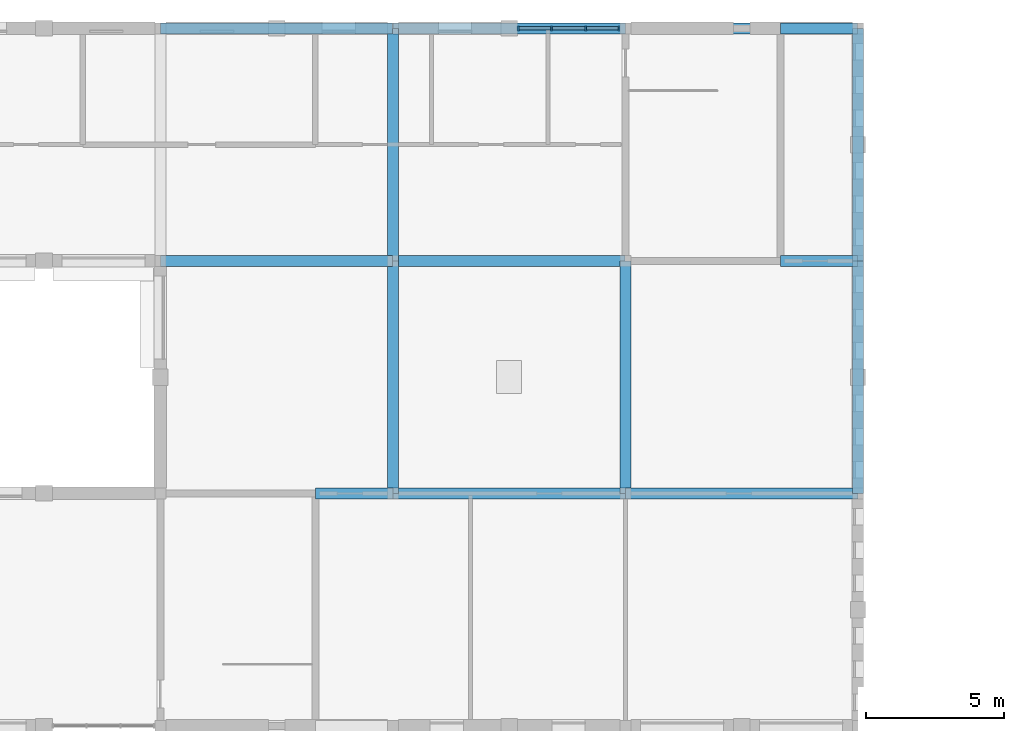
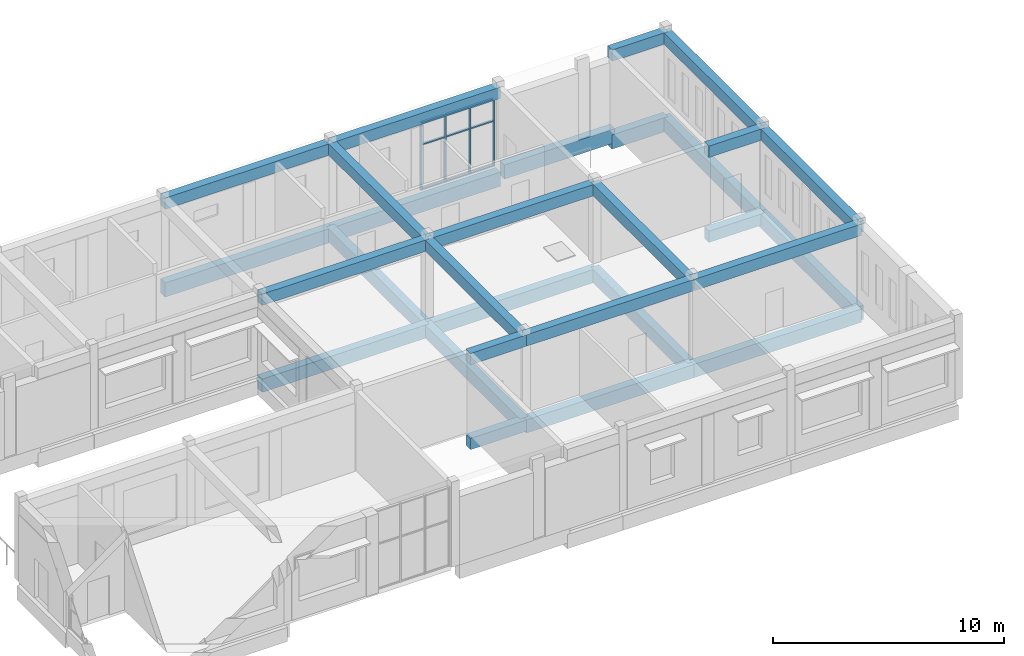
# One storey, part 14 of 30: 29 beams, 13 members, 1 element without a shape of its own.
"""IFC4 building model written with IfcOpenShell, lengths in metres."""

from ifc_helpers import new_model, si_unit, direction, frame, origin, origin_2d, place, context, subcontext, project, spatial, rectangle, extrude, material, material_profile, profile_set, type_object, element, aggregate, save


model = new_model("IFC4")

# Units and contexts
model_context = context("Model", 3, precision=1e-05, world=origin(), true_north=direction((0.0, 1.0)))
body_context = subcontext(model_context, "Body", "Model", "MODEL_VIEW")
ifc_project = project(units=[si_unit("LENGTHUNIT", "METRE"), si_unit("AREAUNIT", "SQUARE_METRE"), si_unit("VOLUMEUNIT", "CUBIC_METRE"), si_unit("PLANEANGLEUNIT", "RADIAN"), si_unit("MASSUNIT", "GRAM", prefix="KILO")], contexts=[model_context])

# Site, building, storey
site_placement = place(None, origin())
site = spatial("IfcSite", under=ifc_project, at=site_placement, CompositionType="ELEMENT")
building_placement = place(site_placement, origin())
building = spatial("IfcBuilding", under=site, at=building_placement, Name="Fescue Hill Polytechnic", CompositionType="ELEMENT")
storey_placement = place(building_placement, frame((0.0, 0.0, 22.5)))
storey = spatial("IfcBuildingStorey", under=building, at=storey_placement, Name="L05", CompositionType="ELEMENT", Elevation=22.5)

# Beams
ifc_material_1 = material(Name="Concrete 35 MPa", Category="concrete")
ifc_material_profile_1 = material_profile(ifc_material_1, rectangle(XDim=0.39990234375, YDim=0.60009765625, at=origin_2d()), Name="RC 400x600")
ifc_profile_set_1 = profile_set([ifc_material_profile_1], Name="Concrete 35 MPa")
beam_type_1 = type_object("IfcBeamType", Name="Beam RC 400x600", PredefinedType="BEAM", material=ifc_profile_set_1)
beam_1_placement = place(storey_placement, frame((98.0, 117.60009765625, -0.60009765625), z_axis=(1.0, 0.0, 0.0), x_axis=(0.0, 1.0, 0.0)))
element("IfcBeam", 1, at=beam_1_placement, inside=storey, type_object=beam_type_1, Name="BM-L05-0092", PredefinedType="BEAM", context=body_context, shape_type="SweptSolid", body=[
    extrude(rectangle(XDim=0.39990234375, YDim=0.60009765625, at=origin_2d()), origin(), (0.0, 0.0, 1.0), 2.800048828125),
])
beam_2_placement = place(storey_placement, frame((114.800048828125, 126.0, -0.60009765625), z_axis=(1.0, 0.0, 0.0), x_axis=(0.0, 1.0, 0.0)))
element("IfcBeam", 2, at=beam_2_placement, inside=storey, type_object=beam_type_1, Name="BM-L05-0102", PredefinedType="BEAM", context=body_context, shape_type="SweptSolid", body=[
    extrude(rectangle(XDim=0.39990234375, YDim=0.60009765625, at=origin_2d()), origin(), (0.0, 0.0, 1.0), 2.7900390625),
])
for number, where, z_axis, x_axis, name in (
    (3, (92.409912109375, 126.0, 3.89990234375), (1.0, 0.0, 0.0), (0.0, 1.0, 0.0), "BR-L05-0013"),
    (4, (92.409912109375, 134.39990234375, 3.89990234375), (1.0, 0.0, 0.0), (0.0, 1.0, 0.0), "BR-L05-0014"),
):
    element("IfcBeam", number, at=place(storey_placement, frame(where, z_axis=z_axis, x_axis=x_axis)), inside=storey, type_object=beam_type_1, Name=name, PredefinedType="BEAM", context=body_context, shape_type="SweptSolid", body=[
        extrude(rectangle(XDim=0.39990234375, YDim=0.60009765625, at=origin_2d()), origin(), (0.0, 0.0, 1.0), 8.380126953125),
    ])
beam_3_placement = place(storey_placement, frame((98.0, 117.60009765625, 3.89990234375), z_axis=(1.0, 0.0, 0.0), x_axis=(0.0, 1.0, 0.0)))
element("IfcBeam", 5, at=beam_3_placement, inside=storey, type_object=beam_type_1, Name="BR-L05-0016", PredefinedType="BEAM", context=body_context, shape_type="SweptSolid", body=[
    extrude(rectangle(XDim=0.39990234375, YDim=0.60009765625, at=origin_2d()), origin(), (0.0, 0.0, 1.0), 2.800048828125),
])
for number, where, z_axis, x_axis, name in (
    (6, (100.800048828125, 117.60009765625, 3.89990234375), (0.0, 1.0, 0.0), (-1.0, 0.0, 0.0), "BR-L05-0018"),
    (7, (100.800048828125, 117.60009765625, 3.89990234375), (1.0, 0.0, 0.0), (0.0, 1.0, 0.0), "BR-L05-0019"),
    (8, (100.800048828125, 126.0, 3.89990234375), (0.0, 1.0, 0.0), (-1.0, 0.0, 0.0), "BR-L05-0020"),
):
    element("IfcBeam", number, at=place(storey_placement, frame(where, z_axis=z_axis, x_axis=x_axis)), inside=storey, type_object=beam_type_1, Name=name, PredefinedType="BEAM", context=body_context, shape_type="SweptSolid", body=[
        extrude(rectangle(XDim=0.39990234375, YDim=0.60009765625, at=origin_2d()), origin(), (0.0, 0.0, 1.0), 8.39990234375),
    ])
beam_4_placement = place(storey_placement, frame((100.81005859375, 126.0, 3.89990234375), z_axis=(1.0, 0.0, 0.0), x_axis=(0.0, 1.0, 0.0)))
element("IfcBeam", 9, at=beam_4_placement, inside=storey, type_object=beam_type_1, Name="BR-L05-0021", PredefinedType="BEAM", context=body_context, shape_type="SweptSolid", body=[
    extrude(rectangle(XDim=0.39990234375, YDim=0.60009765625, at=origin_2d()), origin(), (0.0, 0.0, 1.0), 8.3798828125),
])
beam_5_placement = place(storey_placement, frame((100.81005859375, 134.39990234375, 3.89990234375), z_axis=(1.0, 0.0, 0.0), x_axis=(0.0, 1.0, 0.0)))
element("IfcBeam", 10, at=beam_5_placement, inside=storey, type_object=beam_type_1, Name="BR-L05-0022", PredefinedType="BEAM", context=body_context, shape_type="SweptSolid", body=[
    extrude(rectangle(XDim=0.39990234375, YDim=0.60009765625, at=origin_2d()), origin(), (0.0, 0.0, 1.0), 8.389892578125),
])
beam_6_placement = place(storey_placement, frame((109.199951171875, 117.60009765625, 3.89990234375), z_axis=(0.0, 1.0, 0.0), x_axis=(-1.0, 0.0, 0.0)))
element("IfcBeam", 11, at=beam_6_placement, inside=storey, type_object=beam_type_1, Name="BR-L05-0024", PredefinedType="BEAM", context=body_context, shape_type="SweptSolid", body=[
    extrude(rectangle(XDim=0.39990234375, YDim=0.60009765625, at=origin_2d()), origin(), (0.0, 0.0, 1.0), 8.39990234375),
])
beam_7_placement = place(storey_placement, frame((109.199951171875, 117.60009765625, 3.89990234375), z_axis=(1.0, 0.0, 0.0), x_axis=(0.0, 1.0, 0.0)))
element("IfcBeam", 12, at=beam_7_placement, inside=storey, type_object=beam_type_1, Name="BR-L05-0025", PredefinedType="BEAM", context=body_context, shape_type="SweptSolid", body=[
    extrude(rectangle(XDim=0.39990234375, YDim=0.60009765625, at=origin_2d()), origin(), (0.0, 0.0, 1.0), 8.400146484375),
])
for number, where, z_axis, x_axis, name in (
    (13, (114.800048828125, 126.0, 3.89990234375), (1.0, 0.0, 0.0), (0.0, 1.0, 0.0), "BR-L05-0026"),
    (14, (114.800048828125, 134.39990234375, 3.89990234375), (1.0, 0.0, 0.0), (0.0, 1.0, 0.0), "BR-L05-0027"),
):
    element("IfcBeam", number, at=place(storey_placement, frame(where, z_axis=z_axis, x_axis=x_axis)), inside=storey, type_object=beam_type_1, Name=name, PredefinedType="BEAM", context=body_context, shape_type="SweptSolid", body=[
        extrude(rectangle(XDim=0.39990234375, YDim=0.60009765625, at=origin_2d()), origin(), (0.0, 0.0, 1.0), 2.7900390625),
    ])
for number, where, z_axis, x_axis, name in (
    (15, (117.60009765625, 117.60009765625, 3.89990234375), (0.0, 1.0, 0.0), (-1.0, 0.0, 0.0), "BR-L05-0028"),
    (16, (117.60009765625, 126.0, 3.89990234375), (0.0, 1.0, 0.0), (-1.0, 0.0, 0.0), "BR-L05-0029"),
):
    element("IfcBeam", number, at=place(storey_placement, frame(where, z_axis=z_axis, x_axis=x_axis)), inside=storey, type_object=beam_type_1, Name=name, PredefinedType="BEAM", context=body_context, shape_type="SweptSolid", body=[
        extrude(rectangle(XDim=0.39990234375, YDim=0.60009765625, at=origin_2d()), origin(), (0.0, 0.0, 1.0), 8.39990234375),
    ])
ifc_material_profile_2 = material_profile(ifc_material_1, rectangle(XDim=0.39990234375, YDim=0.699951171875, at=origin_2d()), Name="RC 400x700")
ifc_profile_set_2 = profile_set([ifc_material_profile_2], Name="Concrete 35 MPa")
beam_type_2 = type_object("IfcBeamType", Name="Beam RC 400x700", PredefinedType="BEAM", material=ifc_profile_set_2)
beam_8_placement = place(storey_placement, frame((92.409912109375, 126.0, -0.64990234375), z_axis=(1.0, 0.0, 0.0), x_axis=(0.0, 1.0, 0.0)))
element("IfcBeam", 17, at=beam_8_placement, inside=storey, type_object=beam_type_2, Name="BM-L05-0089", PredefinedType="BEAM", context=body_context, shape_type="SweptSolid", body=[
    extrude(rectangle(XDim=0.39990234375, YDim=0.699951171875, at=origin_2d()), origin(), (0.0, 0.0, 1.0), 8.380126953125),
])
for number, where, z_axis, x_axis, name in (
    (18, (100.800048828125, 117.60009765625, -0.64990234375), (0.0, 1.0, 0.0), (-1.0, 0.0, 0.0), "BM-L05-0094"),
    (19, (100.800048828125, 117.60009765625, -0.64990234375), (1.0, 0.0, 0.0), (0.0, 1.0, 0.0), "BM-L05-0095"),
    (20, (100.800048828125, 126.0, -0.64990234375), (0.0, 1.0, 0.0), (-1.0, 0.0, 0.0), "BM-L05-0096"),
):
    element("IfcBeam", number, at=place(storey_placement, frame(where, z_axis=z_axis, x_axis=x_axis)), inside=storey, type_object=beam_type_2, Name=name, PredefinedType="BEAM", context=body_context, shape_type="SweptSolid", body=[
        extrude(rectangle(XDim=0.39990234375, YDim=0.699951171875, at=origin_2d()), origin(), (0.0, 0.0, 1.0), 8.39990234375),
    ])
beam_9_placement = place(storey_placement, frame((100.81005859375, 126.0, -0.64990234375), z_axis=(1.0, 0.0, 0.0), x_axis=(0.0, 1.0, 0.0)))
element("IfcBeam", 21, at=beam_9_placement, inside=storey, type_object=beam_type_2, Name="BM-L05-0097", PredefinedType="BEAM", context=body_context, shape_type="SweptSolid", body=[
    extrude(rectangle(XDim=0.39990234375, YDim=0.699951171875, at=origin_2d()), origin(), (0.0, 0.0, 1.0), 8.3798828125),
])
beam_10_placement = place(storey_placement, frame((109.199951171875, 117.60009765625, -0.64990234375), z_axis=(0.0, 1.0, 0.0), x_axis=(-1.0, 0.0, 0.0)))
element("IfcBeam", 22, at=beam_10_placement, inside=storey, type_object=beam_type_2, Name="BM-L05-0100", PredefinedType="BEAM", context=body_context, shape_type="SweptSolid", body=[
    extrude(rectangle(XDim=0.39990234375, YDim=0.699951171875, at=origin_2d()), origin(), (0.0, 0.0, 1.0), 8.39990234375),
])
beam_11_placement = place(storey_placement, frame((109.199951171875, 117.60009765625, -0.64990234375), z_axis=(1.0, 0.0, 0.0), x_axis=(0.0, 1.0, 0.0)))
element("IfcBeam", 23, at=beam_11_placement, inside=storey, type_object=beam_type_2, Name="BM-L05-0101", PredefinedType="BEAM", context=body_context, shape_type="SweptSolid", body=[
    extrude(rectangle(XDim=0.39990234375, YDim=0.699951171875, at=origin_2d()), origin(), (0.0, 0.0, 1.0), 8.400146484375),
])
ifc_material_profile_3 = material_profile(ifc_material_1, rectangle(XDim=0.39990234375, YDim=0.75, at=origin_2d()), Name="RC 400x750")
ifc_profile_set_3 = profile_set([ifc_material_profile_3], Name="Concrete 35 MPa")
beam_type_3 = type_object("IfcBeamType", Name="Beam RC 400x750", PredefinedType="BEAM", material=ifc_profile_set_3)
beam_12_placement = place(storey_placement, frame((92.409912109375, 134.39990234375, -0.675048828125), z_axis=(1.0, 0.0, 0.0), x_axis=(0.0, 1.0, 0.0)))
element("IfcBeam", 24, at=beam_12_placement, inside=storey, type_object=beam_type_3, Name="BM-L05-0090", PredefinedType="BEAM", context=body_context, shape_type="SweptSolid", body=[
    extrude(rectangle(XDim=0.39990234375, YDim=0.75, at=origin_2d()), origin(), (0.0, 0.0, 1.0), 8.380126953125),
])
beam_13_placement = place(storey_placement, frame((100.81005859375, 134.39990234375, -0.675048828125), z_axis=(1.0, 0.0, 0.0), x_axis=(0.0, 1.0, 0.0)))
element("IfcBeam", 25, at=beam_13_placement, inside=storey, type_object=beam_type_3, Name="BM-L05-0098", PredefinedType="BEAM", context=body_context, shape_type="SweptSolid", body=[
    extrude(rectangle(XDim=0.39990234375, YDim=0.75, at=origin_2d()), origin(), (0.0, 0.0, 1.0), 8.389892578125),
])
beam_14_placement = place(storey_placement, frame((114.800048828125, 134.39990234375, -0.675048828125), z_axis=(1.0, 0.0, 0.0), x_axis=(0.0, 1.0, 0.0)))
element("IfcBeam", 26, at=beam_14_placement, inside=storey, type_object=beam_type_3, Name="BM-L05-0103", PredefinedType="BEAM", context=body_context, shape_type="SweptSolid", body=[
    extrude(rectangle(XDim=0.39990234375, YDim=0.75, at=origin_2d()), origin(), (0.0, 0.0, 1.0), 2.7900390625),
])
for number, where, z_axis, x_axis, name in (
    (27, (117.60009765625, 117.60009765625, -0.675048828125), (0.0, 1.0, 0.0), (-1.0, 0.0, 0.0), "BM-L05-0104"),
    (28, (117.60009765625, 126.0, -0.675048828125), (0.0, 1.0, 0.0), (-1.0, 0.0, 0.0), "BM-L05-0105"),
):
    element("IfcBeam", number, at=place(storey_placement, frame(where, z_axis=z_axis, x_axis=x_axis)), inside=storey, type_object=beam_type_3, Name=name, PredefinedType="BEAM", context=body_context, shape_type="SweptSolid", body=[
        extrude(rectangle(XDim=0.39990234375, YDim=0.75, at=origin_2d()), origin(), (0.0, 0.0, 1.0), 8.39990234375),
    ])
beam_15_placement = place(storey_placement, frame((109.39990234375, 134.39990234375, -0.375), z_axis=(1.0, 0.0, 0.0), x_axis=(0.0, 1.0, 0.0)))
element("IfcBeam", 29, at=beam_15_placement, inside=storey, type_object=beam_type_3, Name="BM-L05-0118", PredefinedType="BEAM", context=body_context, shape_type="SweptSolid", body=[
    extrude(rectangle(XDim=0.39990234375, YDim=0.75, at=origin_2d()), origin(), (0.0, 0.0, 1.0), 5.525146484375),
])

# Curtain wall, members
ifc_material_2 = material(Name="Glass", Category="glass")
curtain_wall_type = type_object("IfcCurtainWallType", Name="Curtain wall structural glazing", PredefinedType="NOTDEFINED", material=ifc_material_2)
curtain_wall_placement = place(storey_placement, origin())
curtain_wall = element("IfcCurtainWall", 30, at=curtain_wall_placement, inside=storey, type_object=curtain_wall_type, Name="CW-L05-V4b-X1", PredefinedType="NOTDEFINED")
ifc_material_3 = material(Name="Powder-coated aluminium", Category="aluminium")
ifc_material_profile_4 = material_profile(ifc_material_3, rectangle(XDim=0.159912109375, YDim=0.06005859375, at=origin_2d()), Name="Mullion aluminium 60x160")
ifc_profile_set_4 = profile_set([ifc_material_profile_4], Name="Powder-coated aluminium")
member_type_1 = type_object("IfcMemberType", Name="Mullion aluminium 60x160", PredefinedType="MULLION", material=ifc_profile_set_4)
member_1_placement = place(storey_placement, frame((108.969970703125, 134.39990234375, 0.0), z_axis=(0.0, 0.0, 1.0), x_axis=(0.0, -1.0, 0.0)))
member_1 = element("IfcMember", 31, at=member_1_placement, type_object=member_type_1, Name="CW169 mullion 1", PredefinedType="MULLION", context=body_context, shape_type="SweptSolid", body=[
    extrude(rectangle(XDim=0.159912109375, YDim=0.06005859375, at=origin_2d()), origin(), (0.0, 0.0, 1.0), 3.580078125),
])
member_2_placement = place(storey_placement, frame((107.7666015625, 134.39990234375, 0.0), z_axis=(0.0, 0.0, 1.0), x_axis=(0.0, -1.0, 0.0)))
member_2 = element("IfcMember", 32, at=member_2_placement, type_object=member_type_1, Name="CW169 mullion 2", PredefinedType="MULLION", context=body_context, shape_type="SweptSolid", body=[
    extrude(rectangle(XDim=0.159912109375, YDim=0.06005859375, at=origin_2d()), origin(), (0.0, 0.0, 1.0), 3.580078125),
])
member_3_placement = place(storey_placement, frame((106.533447265625, 134.39990234375, 0.0), z_axis=(0.0, 0.0, 1.0), x_axis=(0.0, -1.0, 0.0)))
member_3 = element("IfcMember", 33, at=member_3_placement, type_object=member_type_1, Name="CW169 mullion 3", PredefinedType="MULLION", context=body_context, shape_type="SweptSolid", body=[
    extrude(rectangle(XDim=0.159912109375, YDim=0.06005859375, at=origin_2d()), origin(), (0.0, 0.0, 1.0), 3.580078125),
])
member_4_placement = place(storey_placement, frame((105.330078125, 134.39990234375, 0.0), z_axis=(0.0, 0.0, 1.0), x_axis=(0.0, -1.0, 0.0)))
member_4 = element("IfcMember", 34, at=member_4_placement, type_object=member_type_1, Name="CW169 mullion 4", PredefinedType="MULLION", context=body_context, shape_type="SweptSolid", body=[
    extrude(rectangle(XDim=0.159912109375, YDim=0.06005859375, at=origin_2d()), origin(), (0.0, 0.0, 1.0), 3.580078125),
])
ifc_material_profile_5 = material_profile(ifc_material_3, rectangle(XDim=0.1201171875, YDim=0.06005859375, at=origin_2d()), Name="Transom aluminium 60x120")
ifc_profile_set_5 = profile_set([ifc_material_profile_5], Name="Powder-coated aluminium")
member_type_2 = type_object("IfcMemberType", Name="Transom aluminium 60x120", PredefinedType="USERDEFINED", material=ifc_profile_set_5)
member_5_placement = place(storey_placement, frame((108.93994140625, 134.39990234375, 0.030029296875), z_axis=(-1.0, 0.0, 0.0), x_axis=(0.0, -1.0, 0.0)))
member_5 = element("IfcMember", 35, at=member_5_placement, type_object=member_type_2, Name="CW169 transom 1.1", ObjectType="TRANSOM", PredefinedType="USERDEFINED", context=body_context, shape_type="SweptSolid", body=[
    extrude(rectangle(XDim=0.1201171875, YDim=0.06005859375, at=origin_2d()), origin(), (0.0, 0.0, 1.0), 1.143310546875),
])
member_6_placement = place(storey_placement, frame((108.93994140625, 134.39990234375, 2.39990234375), z_axis=(-1.0, 0.0, 0.0), x_axis=(0.0, -1.0, 0.0)))
member_6 = element("IfcMember", 36, at=member_6_placement, type_object=member_type_2, Name="CW169 transom 1.2", ObjectType="TRANSOM", PredefinedType="USERDEFINED", context=body_context, shape_type="SweptSolid", body=[
    extrude(rectangle(XDim=0.1201171875, YDim=0.06005859375, at=origin_2d()), origin(), (0.0, 0.0, 1.0), 1.143310546875),
])
member_7_placement = place(storey_placement, frame((108.93994140625, 134.39990234375, 3.550048828125), z_axis=(-1.0, 0.0, 0.0), x_axis=(0.0, -1.0, 0.0)))
member_7 = element("IfcMember", 37, at=member_7_placement, type_object=member_type_2, Name="CW169 transom 1.3", ObjectType="TRANSOM", PredefinedType="USERDEFINED", context=body_context, shape_type="SweptSolid", body=[
    extrude(rectangle(XDim=0.1201171875, YDim=0.06005859375, at=origin_2d()), origin(), (0.0, 0.0, 1.0), 1.143310546875),
])
member_8_placement = place(storey_placement, frame((107.736572265625, 134.39990234375, 0.030029296875), z_axis=(-1.0, 0.0, 0.0), x_axis=(0.0, -1.0, 0.0)))
member_8 = element("IfcMember", 38, at=member_8_placement, type_object=member_type_2, Name="CW169 transom 2.1", ObjectType="TRANSOM", PredefinedType="USERDEFINED", context=body_context, shape_type="SweptSolid", body=[
    extrude(rectangle(XDim=0.1201171875, YDim=0.06005859375, at=origin_2d()), origin(), (0.0, 0.0, 1.0), 1.17333984375),
])
member_9_placement = place(storey_placement, frame((107.736572265625, 134.39990234375, 2.39990234375), z_axis=(-1.0, 0.0, 0.0), x_axis=(0.0, -1.0, 0.0)))
member_9 = element("IfcMember", 39, at=member_9_placement, type_object=member_type_2, Name="CW169 transom 2.2", ObjectType="TRANSOM", PredefinedType="USERDEFINED", context=body_context, shape_type="SweptSolid", body=[
    extrude(rectangle(XDim=0.1201171875, YDim=0.06005859375, at=origin_2d()), origin(), (0.0, 0.0, 1.0), 1.17333984375),
])
member_10_placement = place(storey_placement, frame((107.736572265625, 134.39990234375, 3.550048828125), z_axis=(-1.0, 0.0, 0.0), x_axis=(0.0, -1.0, 0.0)))
member_10 = element("IfcMember", 40, at=member_10_placement, type_object=member_type_2, Name="CW169 transom 2.3", ObjectType="TRANSOM", PredefinedType="USERDEFINED", context=body_context, shape_type="SweptSolid", body=[
    extrude(rectangle(XDim=0.1201171875, YDim=0.06005859375, at=origin_2d()), origin(), (0.0, 0.0, 1.0), 1.17333984375),
])
member_11_placement = place(storey_placement, frame((106.50341796875, 134.39990234375, 0.030029296875), z_axis=(-1.0, 0.0, 0.0), x_axis=(0.0, -1.0, 0.0)))
member_11 = element("IfcMember", 41, at=member_11_placement, type_object=member_type_2, Name="CW169 transom 3.1", ObjectType="TRANSOM", PredefinedType="USERDEFINED", context=body_context, shape_type="SweptSolid", body=[
    extrude(rectangle(XDim=0.1201171875, YDim=0.06005859375, at=origin_2d()), origin(), (0.0, 0.0, 1.0), 1.143310546875),
])
member_12_placement = place(storey_placement, frame((106.50341796875, 134.39990234375, 2.39990234375), z_axis=(-1.0, 0.0, 0.0), x_axis=(0.0, -1.0, 0.0)))
member_12 = element("IfcMember", 42, at=member_12_placement, type_object=member_type_2, Name="CW169 transom 3.2", ObjectType="TRANSOM", PredefinedType="USERDEFINED", context=body_context, shape_type="SweptSolid", body=[
    extrude(rectangle(XDim=0.1201171875, YDim=0.06005859375, at=origin_2d()), origin(), (0.0, 0.0, 1.0), 1.143310546875),
])
member_13_placement = place(storey_placement, frame((106.50341796875, 134.39990234375, 3.550048828125), z_axis=(-1.0, 0.0, 0.0), x_axis=(0.0, -1.0, 0.0)))
member_13 = element("IfcMember", 43, at=member_13_placement, type_object=member_type_2, Name="CW169 transom 3.3", ObjectType="TRANSOM", PredefinedType="USERDEFINED", context=body_context, shape_type="SweptSolid", body=[
    extrude(rectangle(XDim=0.1201171875, YDim=0.06005859375, at=origin_2d()), origin(), (0.0, 0.0, 1.0), 1.143310546875),
])
aggregate(curtain_wall, [member_1, member_2, member_3, member_4, member_5, member_6, member_7, member_8, member_9, member_10, member_11, member_12, member_13])

save(model, "model.ifc")
